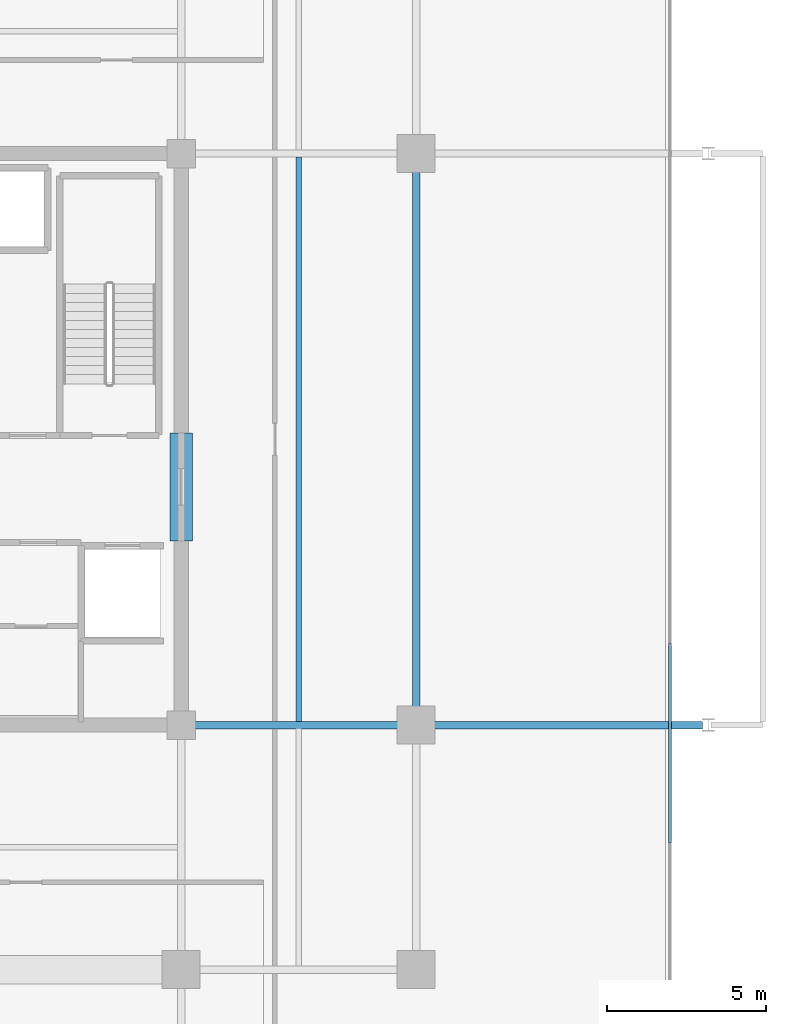
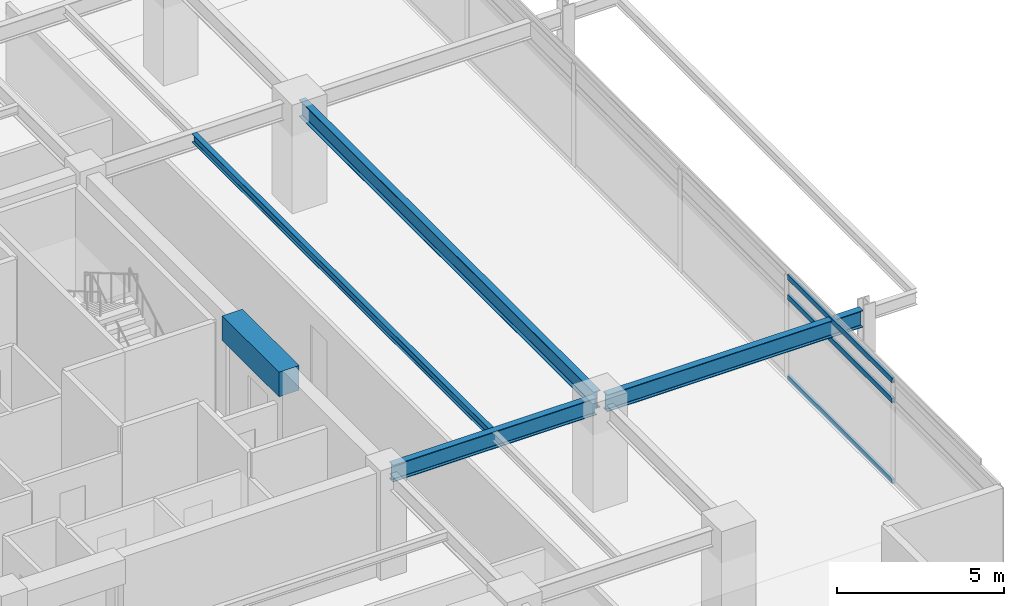
# One storey, part 7 of 19: 5 beams, 3 members, 1 element without a shape of its own.
"""IFC4 building model written with IfcOpenShell, lengths in metres."""

from ifc_helpers import new_model, si_unit, direction, frame, origin, origin_2d, place, context, subcontext, project, spatial, rectangle, hollow_rectangle, i_section, extrude, material, material_profile, profile_set, type_object, element, aggregate, save


model = new_model("IFC4")

# Units and contexts
model_context = context("Model", 3, precision=1e-05, world=origin(), true_north=direction((0.0, 1.0)))
body_context = subcontext(model_context, "Body", "Model", "MODEL_VIEW")
ifc_project = project(units=[si_unit("LENGTHUNIT", "METRE"), si_unit("AREAUNIT", "SQUARE_METRE"), si_unit("VOLUMEUNIT", "CUBIC_METRE"), si_unit("PLANEANGLEUNIT", "RADIAN"), si_unit("MASSUNIT", "GRAM", prefix="KILO")], contexts=[model_context])

# Site, building, storey
site_placement = place(None, origin())
site = spatial("IfcSite", under=ifc_project, at=site_placement, CompositionType="ELEMENT")
building_placement = place(site_placement, origin())
building = spatial("IfcBuilding", under=site, at=building_placement, Name="Kovane Verandah Tower", CompositionType="ELEMENT")
storey_placement = place(building_placement, frame((0.0, 0.0, 255.199951171875)))
storey = spatial("IfcBuildingStorey", under=building, at=storey_placement, Name="L59", CompositionType="ELEMENT", Elevation=255.199951171875)

# Beams
ifc_material_1 = material(Name="Concrete C60/75", Category="concrete")
ifc_material_profile_1 = material_profile(ifc_material_1, rectangle(XDim=0.699951171875, YDim=0.89990234375, at=origin_2d()), Name="RCB700x900")
ifc_profile_set_1 = profile_set([ifc_material_profile_1], Name="Concrete C60/75")
beam_type_1 = type_object("IfcBeamType", Name="BM-LINTEL-700x900", PredefinedType="LINTEL", material=ifc_profile_set_1)
beam_1_placement = place(storey_placement, frame((51.0, 24.300048828125, 3.3349609375), z_axis=(0.0, 1.0, 0.0), x_axis=(-1.0, 0.0, 0.0)))
element("IfcBeam", 1, at=beam_1_placement, inside=storey, type_object=beam_type_1, Name="L59 Core Coupling Lintel CL-E", PredefinedType="LINTEL", context=body_context, shape_type="SweptSolid", body=[
    extrude(rectangle(XDim=0.699951171875, YDim=0.89990234375, at=origin_2d()), origin(), (0.0, 0.0, 1.0), 3.39990234375),
])
ifc_material_2 = material(Name="Steel S355", Category="steel")
ifc_material_profile_2 = material_profile(ifc_material_2, i_section(OverallWidth=0.230224609375, OverallDepth=0.6171875, WebThickness=0.01318359375, FlangeThickness=0.022216796875, FilletRadius=0.0126953125, at=origin_2d()), Name="UB610x229x140")
ifc_profile_set_2 = profile_set([ifc_material_profile_2], Name="Steel S355")
beam_type_2 = type_object("IfcBeamType", Name="BM-UB610x140", PredefinedType="BEAM", material=ifc_profile_set_2)
beam_2_placement = place(storey_placement, frame((58.39990234375, 18.679931640625, 3.4765625), z_axis=(0.0, 1.0, 0.0), x_axis=(-1.0, 0.0, 0.0)))
element("IfcBeam", 2, at=beam_2_placement, inside=storey, type_object=beam_type_2, Name="L59 Primary Tower Girder G-RE2", PredefinedType="BEAM", context=body_context, shape_type="SweptSolid", body=[
    extrude(i_section(OverallWidth=0.230224609375, OverallDepth=0.6171875, WebThickness=0.01318359375, FlangeThickness=0.022216796875, FilletRadius=0.0126953125, at=origin_2d()), origin(), (0.0, 0.0, 1.0), 17.64013671875),
])
beam_3_placement = place(storey_placement, frame((51.179931640625, 18.5, 3.4765625), z_axis=(1.0, 0.0, 0.0), x_axis=(0.0, 1.0, 0.0)))
element("IfcBeam", 3, at=beam_3_placement, inside=storey, type_object=beam_type_2, Name="L59 Primary Tower Girder G-E1", PredefinedType="BEAM", context=body_context, shape_type="SweptSolid", body=[
    extrude(i_section(OverallWidth=0.230224609375, OverallDepth=0.6171875, WebThickness=0.01318359375, FlangeThickness=0.022216796875, FilletRadius=0.0126953125, at=origin_2d()), origin(), (0.0, 0.0, 1.0), 7.0400390625),
])
beam_4_placement = place(storey_placement, frame((58.580078125, 18.5, 3.451416015625), z_axis=(1.0, 0.0, 0.0), x_axis=(0.0, 1.0, 0.0)))
element("IfcBeam", 4, at=beam_4_placement, inside=storey, type_object=beam_type_2, Name="L59 Primary Tower Girder G-VE1", PredefinedType="BEAM", context=body_context, shape_type="SweptSolid", body=[
    extrude(i_section(OverallWidth=0.230224609375, OverallDepth=0.6171875, WebThickness=0.01318359375, FlangeThickness=0.022216796875, FilletRadius=0.0126953125, at=origin_2d()), origin(), (0.0, 0.0, 1.0), 8.83984375),
])

# Curtain wall, members
ifc_material_3 = material(Name="Champagne Anodised Aluminium Frame with Low-E Clear Laminated Glass", Category="aluminium")
curtain_wall_type = type_object("IfcCurtainWallType", Name="CW-SYS-05-HIGH", PredefinedType="NOTDEFINED", material=ifc_material_3)
curtain_wall_placement = place(storey_placement, origin())
curtain_wall = element("IfcCurtainWall", 5, at=curtain_wall_placement, inside=storey, type_object=curtain_wall_type, Name="L59 E Unitised Curtain Wall", PredefinedType="NOTDEFINED")
ifc_material_4 = material(Name="Champagne Anodised Aluminium 6063-T6", Category="aluminium")
ifc_material_profile_3 = material_profile(ifc_material_4, hollow_rectangle(XDim=0.0849609375, YDim=0.18994140625, WallThickness=0.00390625, at=origin_2d()), Name="AL85x190x4")
ifc_profile_set_3 = profile_set([ifc_material_profile_3], Name="Champagne Anodised Aluminium 6063-T6")
member_type = type_object("IfcMemberType", Name="CW-TRN-85x190", PredefinedType="USERDEFINED", material=ifc_profile_set_3)
member_1_placement = place(storey_placement, frame((66.396240234375, 14.79150390625, 0.050048828125), z_axis=(0.0, 1.0, 0.0), x_axis=(-1.0, 0.0, 0.0)))
member_1 = element("IfcMember", 6, at=member_1_placement, type_object=member_type, Name="L59 E Unitised Curtain Wall Transom TB Bay 2", ObjectType="TRANSOM", PredefinedType="USERDEFINED", context=body_context, shape_type="SweptSolid", body=[
    extrude(hollow_rectangle(XDim=0.0849609375, YDim=0.18994140625, WallThickness=0.00390625, at=origin_2d()), origin(), (0.0, 0.0, 1.0), 6.279296875),
])
member_2_placement = place(storey_placement, frame((66.396240234375, 14.79150390625, 3.005126953125), z_axis=(0.0, 1.0, 0.0), x_axis=(-1.0, 0.0, 0.0)))
member_2 = element("IfcMember", 7, at=member_2_placement, type_object=member_type, Name="L59 E Unitised Curtain Wall Transom TM Bay 2", ObjectType="TRANSOM", PredefinedType="USERDEFINED", context=body_context, shape_type="SweptSolid", body=[
    extrude(hollow_rectangle(XDim=0.0849609375, YDim=0.18994140625, WallThickness=0.00390625, at=origin_2d()), origin(), (0.0, 0.0, 1.0), 6.279296875),
])
member_3_placement = place(storey_placement, frame((66.396240234375, 14.79150390625, 3.735107421875), z_axis=(0.0, 1.0, 0.0), x_axis=(-1.0, 0.0, 0.0)))
member_3 = element("IfcMember", 8, at=member_3_placement, type_object=member_type, Name="L59 E Unitised Curtain Wall Transom TT Bay 2", ObjectType="TRANSOM", PredefinedType="USERDEFINED", context=body_context, shape_type="SweptSolid", body=[
    extrude(hollow_rectangle(XDim=0.0849609375, YDim=0.18994140625, WallThickness=0.00390625, at=origin_2d()), origin(), (0.0, 0.0, 1.0), 6.279296875),
])
aggregate(curtain_wall, [member_1, member_2, member_3])

# Beam
ifc_material_profile_4 = material_profile(ifc_material_2, i_section(OverallWidth=0.1669921875, OverallDepth=0.310302734375, WebThickness=0.0078125, FlangeThickness=0.013671875, FilletRadius=0.0087890625, at=origin_2d()), Name="UB305x165x54")
ifc_profile_set_4 = profile_set([ifc_material_profile_4], Name="Steel S355")
beam_type_3 = type_object("IfcBeamType", Name="JST-UB305x54", PredefinedType="JOIST", material=ifc_profile_set_4)
beam_5_placement = place(storey_placement, frame((54.699951171875, 18.613037109375, 3.6298828125), z_axis=(0.0, 1.0, 0.0), x_axis=(-1.0, 0.0, 0.0)))
element("IfcBeam", 9, at=beam_5_placement, inside=storey, type_object=beam_type_3, Name="L59 Secondary Composite Joist J-E1", PredefinedType="JOIST", context=body_context, shape_type="SweptSolid", body=[
    extrude(i_section(OverallWidth=0.1669921875, OverallDepth=0.310302734375, WebThickness=0.0078125, FlangeThickness=0.013671875, FilletRadius=0.0087890625, at=origin_2d()), origin(), (0.0, 0.0, 1.0), 17.77392578125),
])

save(model, "model.ifc")
